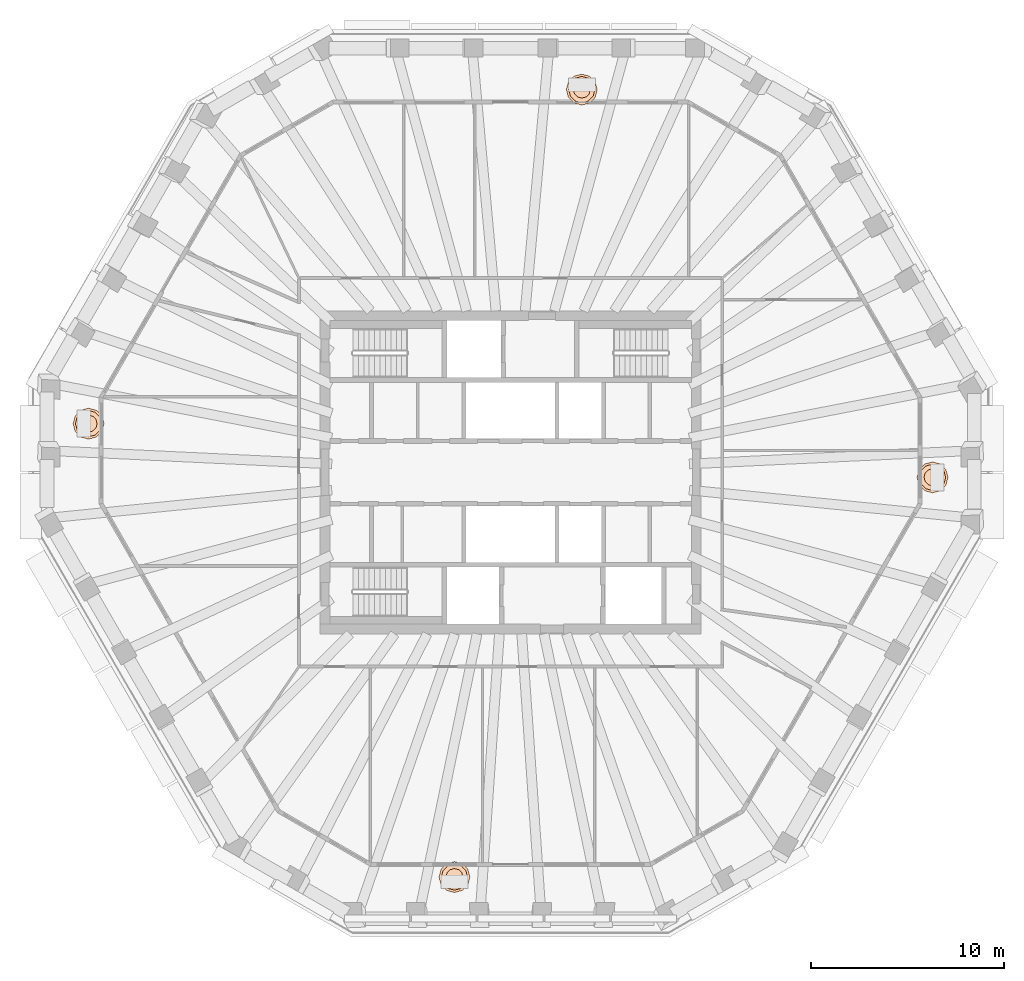
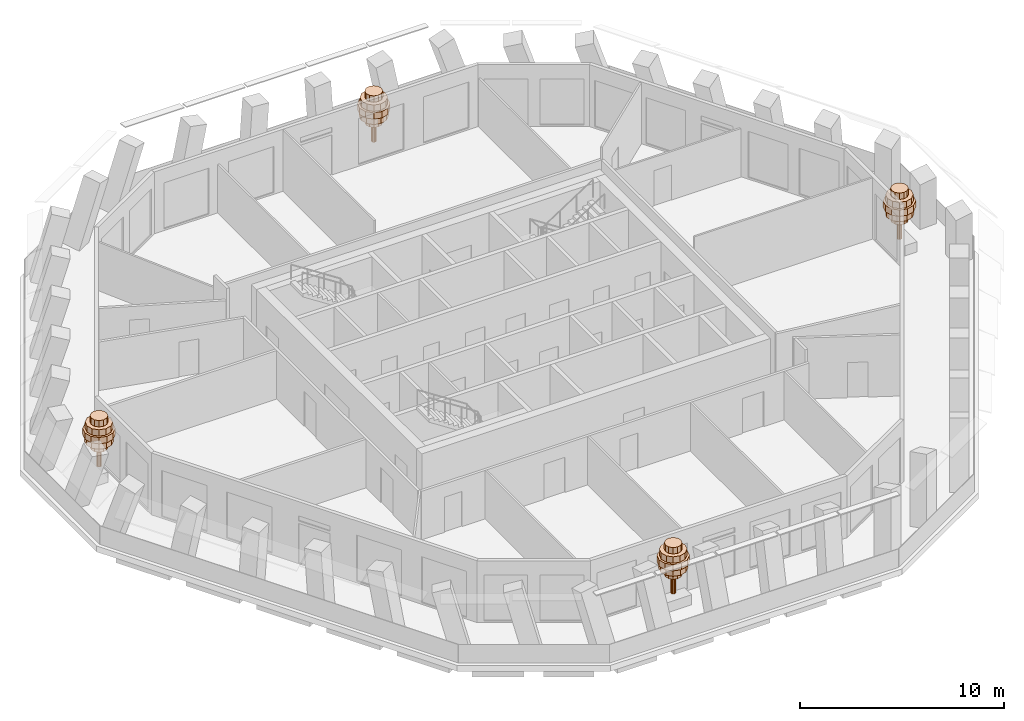
# One storey, part 11 of 11: 4 geographic elements.
"""IFC4 building model written with IfcOpenShell, lengths in metres."""

import ifcopenshell
import ifcopenshell.guid

model = None  # the IFC model being written
_history = None  # IfcOwnerHistory: only IFC2X3 demands one
_inside = {}  # id of a spatial element -> (the spatial element, [elements in it])
_under = {}  # id of a project, library or spatial element -> (it, [spatial elements below it])
_declared = {}  # id of a project -> (the project, [libraries it declares])
_typed = {}  # id of a type object -> (the type object, [elements of that type])
_made_of = {}  # id of a material, layer set ... -> (it, [elements and type objects made of it])


def new_model(schema):
    """Start an empty IFC model of exactly this schema.

    Asked for "IFC4X3", IfcOpenShell would pick the latest addendum, in which some entities
    have other attributes; the version numbers below select the first issue.
    IFC2X3 requires an IfcOwnerHistory on every rooted entity: one is made here for all.
    """
    global model, _history
    if schema == "IFC4X3":
        model = ifcopenshell.file(schema_version=(4, 3, 0, 0))
    else:
        model = ifcopenshell.file(schema=schema)
    _inside.clear()
    _under.clear()
    _declared.clear()
    _typed.clear()
    _made_of.clear()
    _history = None
    if model.schema == "IFC2X3":
        org = make("IfcOrganization", Name="unknown")
        user = make(
            "IfcPersonAndOrganization",
            ThePerson=make("IfcPerson", FamilyName="unknown"),
            TheOrganization=org,
        )
        app = make(
            "IfcApplication",
            ApplicationDeveloper=org,
            Version="unknown",
            ApplicationFullName="unknown",
            ApplicationIdentifier="unknown",
        )
        _history = make(
            "IfcOwnerHistory",
            OwningUser=user,
            OwningApplication=app,
            ChangeAction="ADDED",
            CreationDate=0,
        )
    return model


def make(cls, **values):
    """One entity of the class cls with the attributes given. An attribute that is None is left unset."""
    return model.create_entity(
        cls, **{name: value for name, value in values.items() if value is not None}
    )


def rooted(cls, **values):
    """An entity with a GlobalId (a new one), such as an element, a storey or a relation."""
    return make(cls, GlobalId=ifcopenshell.guid.new(), OwnerHistory=_history, **values)


def si_unit(unit_type, name, prefix=None):
    """IfcSIUnit, for example si_unit("LENGTHUNIT", "METRE", prefix="MILLI")."""
    return make("IfcSIUnit", UnitType=unit_type, Prefix=prefix, Name=name)


def assignment(units):
    """IfcUnitAssignment: the units of a project."""
    return None if units is None else make("IfcUnitAssignment", Units=units)


def point(xyz):
    """IfcCartesianPoint."""
    return None if xyz is None else make("IfcCartesianPoint", Coordinates=xyz)


def direction(xyz):
    """IfcDirection."""
    return None if xyz is None else make("IfcDirection", DirectionRatios=xyz)


def frame(location, z_axis=None, x_axis=None):
    """IfcAxis2Placement3D, a coordinate frame: its origin and axes. An axis left out is left unset."""
    return make(
        "IfcAxis2Placement3D",
        Location=point(location),
        Axis=direction(z_axis),
        RefDirection=direction(x_axis),
    )


def origin():
    """The frame at (0, 0, 0) with its axes left unset."""
    return frame((0.0, 0.0, 0.0))


def place(relative_to, where):
    """IfcLocalPlacement: puts the frame where relative to a parent placement (None: the world)."""
    return make(
        "IfcLocalPlacement", PlacementRelTo=relative_to, RelativePlacement=where
    )


def context(
    kind, dimensions, precision=None, world=None, true_north=None, identifier=None
):
    """IfcGeometricRepresentationContext, for example the 3D "Model" context."""
    return make(
        "IfcGeometricRepresentationContext",
        ContextIdentifier=identifier,
        ContextType=kind,
        CoordinateSpaceDimension=dimensions,
        Precision=precision,
        WorldCoordinateSystem=world,
        TrueNorth=true_north,
    )


def subcontext(parent, identifier, kind, view, scale=None):
    """IfcGeometricRepresentationSubContext, for example "Body" below "Model"."""
    return make(
        "IfcGeometricRepresentationSubContext",
        ContextIdentifier=identifier,
        ContextType=kind,
        ParentContext=parent,
        TargetScale=scale,
        TargetView=view,
    )


def project(units=None, contexts=None):
    """IfcProject with its units and contexts."""
    return rooted(
        "IfcProject",
        Name="project",
        RepresentationContexts=contexts,
        UnitsInContext=assignment(units),
    )


def spatial(cls, under=None, at=None, **own):
    """A site, building, storey or space (cls), placed at a placement, below another one or the project."""
    s = rooted(cls, ObjectPlacement=at, **own)
    if under is not None:
        _under.setdefault(under.id(), (under, []))[1].append(s)
    return s


def polyline(points):
    """IfcPolyline through the points."""
    return make("IfcPolyline", Points=[point(p) for p in points])


def outline(outer, holes=None, kind="AREA"):
    """IfcArbitraryClosedProfileDef: a profile drawn as a closed curve; with holes, ...WithVoids."""
    if holes is None:
        return make("IfcArbitraryClosedProfileDef", ProfileType=kind, OuterCurve=outer)
    return make(
        "IfcArbitraryProfileDefWithVoids",
        ProfileType=kind,
        OuterCurve=outer,
        InnerCurves=holes,
    )


def extrude(swept, where, along, depth):
    """IfcExtrudedAreaSolid: the profile swept, set in the frame where, extruded along a direction by depth."""
    return make(
        "IfcExtrudedAreaSolid",
        SweptArea=swept,
        Position=where,
        ExtrudedDirection=direction(along),
        Depth=depth,
    )


def shape(context_of_items, identifier, shape_type, items):
    """IfcShapeRepresentation: the items that make up one representation, for example the "Body"."""
    return make(
        "IfcShapeRepresentation",
        ContextOfItems=context_of_items,
        RepresentationIdentifier=identifier,
        RepresentationType=shape_type,
        Items=items,
    )


def material(Name=None, Category=None):
    """IfcMaterial."""
    return make("IfcMaterial", Name=Name, Category=Category)


def made_of(thing, what):
    """Note that an element or type object is made of a material, layer set ...; save() writes the relation."""
    if what is not None:
        _made_of.setdefault(what.id(), (what, []))[1].append(thing)
    return thing


def type_object(cls, material=None, **own):
    """A type object (cls), such as IfcWallType, which elements share."""
    return made_of(rooted(cls, **own), material)


def element(
    cls,
    number,
    at=None,
    inside=None,
    cuts=None,
    type_object=None,
    material=None,
    context=None,
    identifier="Body",
    shape_type=None,
    held_by="IfcProductDefinitionShape",
    body=None,
    shapes=None,
    **own,
):
    """One element of the class cls, such as IfcWall. Its Tag is "e" and its number.

    at: its placement. inside: the storey or other place that contains it. cuts: it is an
    opening in that element (IfcRelVoidsElement). A single representation is given by context,
    identifier, shape_type and body (its items); several are given by shapes. held_by: the class
    of the entity that holds the representations. save() writes the other relations.
    """
    e = rooted(cls, Tag="e%d" % number, ObjectPlacement=at, **own)
    if body is not None:
        shapes = [shape(context, identifier, shape_type, body)]
    if shapes is not None:
        e.Representation = make(held_by, Representations=shapes)
    if inside is not None:
        _inside.setdefault(inside.id(), (inside, []))[1].append(e)
    if cuts is not None:
        rooted(
            "IfcRelVoidsElement", RelatingBuildingElement=cuts, RelatedOpeningElement=e
        )
    if type_object is not None:
        _typed.setdefault(type_object.id(), (type_object, []))[1].append(e)
    return made_of(e, material)


def aggregate(whole, parts):
    """IfcRelAggregates: a whole, such as a stair, and the parts it consists of."""
    return rooted("IfcRelAggregates", RelatingObject=whole, RelatedObjects=parts)


def save(model, path):
    """Write the relations noted so far, then the file.

    IfcRelAggregates (storeys below a building ...), IfcRelContainedInSpatialStructure (elements
    in a storey), IfcRelDefinesByType, IfcRelAssociatesMaterial and IfcRelDeclares: one each for
    every whole, place, type object, material and project.
    """
    for whole, parts in _under.values():
        aggregate(whole, parts)
    for where, things in _inside.values():
        rooted(
            "IfcRelContainedInSpatialStructure",
            RelatedElements=things,
            RelatingStructure=where,
        )
    for kind, things in _typed.values():
        rooted("IfcRelDefinesByType", RelatedObjects=things, RelatingType=kind)
    for what, things in _made_of.values():
        rooted("IfcRelAssociatesMaterial", RelatedObjects=things, RelatingMaterial=what)
    for by, libraries in _declared.values():
        rooted("IfcRelDeclares", RelatingContext=by, RelatedDefinitions=libraries)
    model.write(path)


model = new_model("IFC4")

# Units and contexts
model_context = context("Model", 3, precision=1e-05, world=origin(), true_north=direction((0.0, 1.0)))
body_context = subcontext(model_context, "Body", "Model", "MODEL_VIEW")
ifc_project = project(units=[si_unit("LENGTHUNIT", "METRE"), si_unit("AREAUNIT", "SQUARE_METRE"), si_unit("VOLUMEUNIT", "CUBIC_METRE"), si_unit("PLANEANGLEUNIT", "RADIAN"), si_unit("MASSUNIT", "GRAM", prefix="KILO")], contexts=[model_context])

# Site, building, storey
site_placement = place(None, origin())
site = spatial("IfcSite", under=ifc_project, at=site_placement, CompositionType="ELEMENT")
building_placement = place(site_placement, origin())
building = spatial("IfcBuilding", under=site, at=building_placement, Name="Frailejon Research Tower", CompositionType="ELEMENT")
storey_placement = place(building_placement, frame((0.0, 0.0, 299.0)))
storey = spatial("IfcBuildingStorey", under=building, at=storey_placement, Name="L66", CompositionType="ELEMENT", Elevation=299.0)

# Geographic elements
ifc_material = material(Name="Foliage, green")
geographic_element_type = type_object("IfcGeographicElementType", Name="Frailejon tree, loggia", PredefinedType="USERDEFINED", material=ifc_material)
geographic_element_1_placement = place(storey_placement, frame((21.826904296875, -0.2578125, 0.60009765625)))
element("IfcGeographicElement", 1, at=geographic_element_1_placement, inside=storey, type_object=geographic_element_type, Name="Tree L66", ObjectType="TREE", PredefinedType="USERDEFINED", context=body_context, shape_type="SweptSolid", body=[
    extrude(outline(polyline([(0.1298828125, 0.0), (0.112548828125, 0.06494140625), (0.06494140625, 0.112548828125), (0.0, 0.1298828125), (-0.06494140625, 0.112548828125), (-0.112548828125, 0.06494140625), (-0.1298828125, 0.0), (-0.112548828125, -0.06494140625), (-0.06494140625, -0.112548828125), (0.0, -0.1298828125), (0.06494140625, -0.112548828125), (0.112548828125, -0.06494140625), (0.1298828125, 0.0)])), origin(), (0.0, 0.0, 1.0), 2.239990234375),
    extrude(outline(polyline([(0.43994140625, 0.0), (0.381103515625, 0.219970703125), (0.219970703125, 0.381103515625), (0.0, 0.43994140625), (-0.219970703125, 0.381103515625), (-0.381103515625, 0.219970703125), (-0.43994140625, 0.0), (-0.381103515625, -0.219970703125), (-0.219970703125, -0.381103515625), (0.0, -0.43994140625), (0.219970703125, -0.381103515625), (0.381103515625, -0.219970703125), (0.43994140625, 0.0)])), frame((0.0, 0.0, 1.10009765625)), (0.0, 0.0, 1.0), 0.3798828125),
    extrude(outline(polyline([(0.719970703125, 0.0), (0.62353515625, 0.360107421875), (0.360107421875, 0.62353515625), (0.0, 0.719970703125), (-0.360107421875, 0.62353515625), (-0.62353515625, 0.360107421875), (-0.719970703125, 0.0), (-0.62353515625, -0.360107421875), (-0.360107421875, -0.62353515625), (0.0, -0.719970703125), (0.360107421875, -0.62353515625), (0.62353515625, -0.360107421875), (0.719970703125, 0.0)])), frame((0.0, 0.0, 1.47998046875)), (0.0, 0.0, 1.0), 0.3798828125),
    extrude(outline(polyline([(0.800048828125, 0.0), (0.69287109375, 0.39990234375), (0.39990234375, 0.69287109375), (0.0, 0.800048828125), (-0.39990234375, 0.69287109375), (-0.69287109375, 0.39990234375), (-0.800048828125, 0.0), (-0.69287109375, -0.39990234375), (-0.39990234375, -0.69287109375), (0.0, -0.800048828125), (0.39990234375, -0.69287109375), (0.69287109375, -0.39990234375), (0.800048828125, 0.0)])), frame((0.0, 0.0, 1.860107421875)), (0.0, 0.0, 1.0), 0.3798828125),
    extrude(outline(polyline([(0.679931640625, 0.0), (0.5888671875, 0.340087890625), (0.340087890625, 0.5888671875), (0.0, 0.679931640625), (-0.340087890625, 0.5888671875), (-0.5888671875, 0.340087890625), (-0.679931640625, 0.0), (-0.5888671875, -0.340087890625), (-0.340087890625, -0.5888671875), (0.0, -0.679931640625), (0.340087890625, -0.5888671875), (0.5888671875, -0.340087890625), (0.679931640625, 0.0)])), frame((0.0, 0.0, 2.239990234375)), (0.0, 0.0, 1.0), 0.3798828125),
    extrude(outline(polyline([(0.43994140625, 0.0), (0.381103515625, 0.219970703125), (0.219970703125, 0.381103515625), (0.0, 0.43994140625), (-0.219970703125, 0.381103515625), (-0.381103515625, 0.219970703125), (-0.43994140625, 0.0), (-0.381103515625, -0.219970703125), (-0.219970703125, -0.381103515625), (0.0, -0.43994140625), (0.219970703125, -0.381103515625), (0.381103515625, -0.219970703125), (0.43994140625, 0.0)])), frame((0.0, 0.0, 2.6201171875)), (0.0, 0.0, 1.0), 0.3798828125),
])
geographic_element_2_placement = place(storey_placement, frame((3.684814453125, 19.800048828125, 0.60009765625)))
element("IfcGeographicElement", 2, at=geographic_element_2_placement, inside=storey, type_object=geographic_element_type, Name="Tree L66", ObjectType="TREE", PredefinedType="USERDEFINED", context=body_context, shape_type="SweptSolid", body=[
    extrude(outline(polyline([(0.1298828125, 0.0), (0.112548828125, 0.06494140625), (0.06494140625, 0.112548828125), (0.0, 0.1298828125), (-0.06494140625, 0.112548828125), (-0.112548828125, 0.06494140625), (-0.1298828125, 0.0), (-0.112548828125, -0.06494140625), (-0.06494140625, -0.112548828125), (0.0, -0.1298828125), (0.06494140625, -0.112548828125), (0.112548828125, -0.06494140625), (0.1298828125, 0.0)])), origin(), (0.0, 0.0, 1.0), 2.239990234375),
    extrude(outline(polyline([(0.43994140625, 0.0), (0.381103515625, 0.219970703125), (0.219970703125, 0.381103515625), (0.0, 0.43994140625), (-0.219970703125, 0.381103515625), (-0.381103515625, 0.219970703125), (-0.43994140625, 0.0), (-0.381103515625, -0.219970703125), (-0.219970703125, -0.381103515625), (0.0, -0.43994140625), (0.219970703125, -0.381103515625), (0.381103515625, -0.219970703125), (0.43994140625, 0.0)])), frame((0.0, 0.0, 1.10009765625)), (0.0, 0.0, 1.0), 0.3798828125),
    extrude(outline(polyline([(0.719970703125, 0.0), (0.62353515625, 0.360107421875), (0.360107421875, 0.62353515625), (0.0, 0.719970703125), (-0.360107421875, 0.62353515625), (-0.62353515625, 0.360107421875), (-0.719970703125, 0.0), (-0.62353515625, -0.360107421875), (-0.360107421875, -0.62353515625), (0.0, -0.719970703125), (0.360107421875, -0.62353515625), (0.62353515625, -0.360107421875), (0.719970703125, 0.0)])), frame((0.0, 0.0, 1.47998046875)), (0.0, 0.0, 1.0), 0.3798828125),
    extrude(outline(polyline([(0.800048828125, 0.0), (0.69287109375, 0.39990234375), (0.39990234375, 0.69287109375), (0.0, 0.800048828125), (-0.39990234375, 0.69287109375), (-0.69287109375, 0.39990234375), (-0.800048828125, 0.0), (-0.69287109375, -0.39990234375), (-0.39990234375, -0.69287109375), (0.0, -0.800048828125), (0.39990234375, -0.69287109375), (0.69287109375, -0.39990234375), (0.800048828125, 0.0)])), frame((0.0, 0.0, 1.860107421875)), (0.0, 0.0, 1.0), 0.3798828125),
    extrude(outline(polyline([(0.679931640625, 0.0), (0.5888671875, 0.340087890625), (0.340087890625, 0.5888671875), (0.0, 0.679931640625), (-0.340087890625, 0.5888671875), (-0.5888671875, 0.340087890625), (-0.679931640625, 0.0), (-0.5888671875, -0.340087890625), (-0.340087890625, -0.5888671875), (0.0, -0.679931640625), (0.340087890625, -0.5888671875), (0.5888671875, -0.340087890625), (0.679931640625, 0.0)])), frame((0.0, 0.0, 2.239990234375)), (0.0, 0.0, 1.0), 0.3798828125),
    extrude(outline(polyline([(0.43994140625, 0.0), (0.381103515625, 0.219970703125), (0.219970703125, 0.381103515625), (0.0, 0.43994140625), (-0.219970703125, 0.381103515625), (-0.381103515625, 0.219970703125), (-0.43994140625, 0.0), (-0.381103515625, -0.219970703125), (-0.219970703125, -0.381103515625), (0.0, -0.43994140625), (0.219970703125, -0.381103515625), (0.381103515625, -0.219970703125), (0.43994140625, 0.0)])), frame((0.0, 0.0, 2.6201171875)), (0.0, 0.0, 1.0), 0.3798828125),
])
geographic_element_3_placement = place(storey_placement, frame((-21.826904296875, 2.5205078125, 0.60009765625)))
element("IfcGeographicElement", 3, at=geographic_element_3_placement, inside=storey, type_object=geographic_element_type, Name="Tree L66", ObjectType="TREE", PredefinedType="USERDEFINED", context=body_context, shape_type="SweptSolid", body=[
    extrude(outline(polyline([(0.1298828125, 0.0), (0.112548828125, 0.06494140625), (0.06494140625, 0.112548828125), (0.0, 0.1298828125), (-0.06494140625, 0.112548828125), (-0.112548828125, 0.06494140625), (-0.1298828125, 0.0), (-0.112548828125, -0.06494140625), (-0.06494140625, -0.112548828125), (0.0, -0.1298828125), (0.06494140625, -0.112548828125), (0.112548828125, -0.06494140625), (0.1298828125, 0.0)])), origin(), (0.0, 0.0, 1.0), 2.239990234375),
    extrude(outline(polyline([(0.43994140625, 0.0), (0.381103515625, 0.219970703125), (0.219970703125, 0.381103515625), (0.0, 0.43994140625), (-0.219970703125, 0.381103515625), (-0.381103515625, 0.219970703125), (-0.43994140625, 0.0), (-0.381103515625, -0.219970703125), (-0.219970703125, -0.381103515625), (0.0, -0.43994140625), (0.219970703125, -0.381103515625), (0.381103515625, -0.219970703125), (0.43994140625, 0.0)])), frame((0.0, 0.0, 1.10009765625)), (0.0, 0.0, 1.0), 0.3798828125),
    extrude(outline(polyline([(0.719970703125, 0.0), (0.62353515625, 0.360107421875), (0.360107421875, 0.62353515625), (0.0, 0.719970703125), (-0.360107421875, 0.62353515625), (-0.62353515625, 0.360107421875), (-0.719970703125, 0.0), (-0.62353515625, -0.360107421875), (-0.360107421875, -0.62353515625), (0.0, -0.719970703125), (0.360107421875, -0.62353515625), (0.62353515625, -0.360107421875), (0.719970703125, 0.0)])), frame((0.0, 0.0, 1.47998046875)), (0.0, 0.0, 1.0), 0.3798828125),
    extrude(outline(polyline([(0.800048828125, 0.0), (0.69287109375, 0.39990234375), (0.39990234375, 0.69287109375), (0.0, 0.800048828125), (-0.39990234375, 0.69287109375), (-0.69287109375, 0.39990234375), (-0.800048828125, 0.0), (-0.69287109375, -0.39990234375), (-0.39990234375, -0.69287109375), (0.0, -0.800048828125), (0.39990234375, -0.69287109375), (0.69287109375, -0.39990234375), (0.800048828125, 0.0)])), frame((0.0, 0.0, 1.860107421875)), (0.0, 0.0, 1.0), 0.3798828125),
    extrude(outline(polyline([(0.679931640625, 0.0), (0.5888671875, 0.340087890625), (0.340087890625, 0.5888671875), (0.0, 0.679931640625), (-0.340087890625, 0.5888671875), (-0.5888671875, 0.340087890625), (-0.679931640625, 0.0), (-0.5888671875, -0.340087890625), (-0.340087890625, -0.5888671875), (0.0, -0.679931640625), (0.340087890625, -0.5888671875), (0.5888671875, -0.340087890625), (0.679931640625, 0.0)])), frame((0.0, 0.0, 2.239990234375)), (0.0, 0.0, 1.0), 0.3798828125),
    extrude(outline(polyline([(0.43994140625, 0.0), (0.381103515625, 0.219970703125), (0.219970703125, 0.381103515625), (0.0, 0.43994140625), (-0.219970703125, 0.381103515625), (-0.381103515625, 0.219970703125), (-0.43994140625, 0.0), (-0.381103515625, -0.219970703125), (-0.219970703125, -0.381103515625), (0.0, -0.43994140625), (0.219970703125, -0.381103515625), (0.381103515625, -0.219970703125), (0.43994140625, 0.0)])), frame((0.0, 0.0, 2.6201171875)), (0.0, 0.0, 1.0), 0.3798828125),
])
geographic_element_4_placement = place(storey_placement, frame((-2.90087890625, -20.931396484375, 0.60009765625)))
element("IfcGeographicElement", 4, at=geographic_element_4_placement, inside=storey, type_object=geographic_element_type, Name="Tree L66", ObjectType="TREE", PredefinedType="USERDEFINED", context=body_context, shape_type="SweptSolid", body=[
    extrude(outline(polyline([(0.1298828125, 0.0), (0.112548828125, 0.06494140625), (0.06494140625, 0.112548828125), (0.0, 0.1298828125), (-0.06494140625, 0.112548828125), (-0.112548828125, 0.06494140625), (-0.1298828125, 0.0), (-0.112548828125, -0.06494140625), (-0.06494140625, -0.112548828125), (0.0, -0.1298828125), (0.06494140625, -0.112548828125), (0.112548828125, -0.06494140625), (0.1298828125, 0.0)])), origin(), (0.0, 0.0, 1.0), 2.239990234375),
    extrude(outline(polyline([(0.43994140625, 0.0), (0.381103515625, 0.219970703125), (0.219970703125, 0.381103515625), (0.0, 0.43994140625), (-0.219970703125, 0.381103515625), (-0.381103515625, 0.219970703125), (-0.43994140625, 0.0), (-0.381103515625, -0.219970703125), (-0.219970703125, -0.381103515625), (0.0, -0.43994140625), (0.219970703125, -0.381103515625), (0.381103515625, -0.219970703125), (0.43994140625, 0.0)])), frame((0.0, 0.0, 1.10009765625)), (0.0, 0.0, 1.0), 0.3798828125),
    extrude(outline(polyline([(0.719970703125, 0.0), (0.62353515625, 0.360107421875), (0.360107421875, 0.62353515625), (0.0, 0.719970703125), (-0.360107421875, 0.62353515625), (-0.62353515625, 0.360107421875), (-0.719970703125, 0.0), (-0.62353515625, -0.360107421875), (-0.360107421875, -0.62353515625), (0.0, -0.719970703125), (0.360107421875, -0.62353515625), (0.62353515625, -0.360107421875), (0.719970703125, 0.0)])), frame((0.0, 0.0, 1.47998046875)), (0.0, 0.0, 1.0), 0.3798828125),
    extrude(outline(polyline([(0.800048828125, 0.0), (0.69287109375, 0.39990234375), (0.39990234375, 0.69287109375), (0.0, 0.800048828125), (-0.39990234375, 0.69287109375), (-0.69287109375, 0.39990234375), (-0.800048828125, 0.0), (-0.69287109375, -0.39990234375), (-0.39990234375, -0.69287109375), (0.0, -0.800048828125), (0.39990234375, -0.69287109375), (0.69287109375, -0.39990234375), (0.800048828125, 0.0)])), frame((0.0, 0.0, 1.860107421875)), (0.0, 0.0, 1.0), 0.3798828125),
    extrude(outline(polyline([(0.679931640625, 0.0), (0.5888671875, 0.340087890625), (0.340087890625, 0.5888671875), (0.0, 0.679931640625), (-0.340087890625, 0.5888671875), (-0.5888671875, 0.340087890625), (-0.679931640625, 0.0), (-0.5888671875, -0.340087890625), (-0.340087890625, -0.5888671875), (0.0, -0.679931640625), (0.340087890625, -0.5888671875), (0.5888671875, -0.340087890625), (0.679931640625, 0.0)])), frame((0.0, 0.0, 2.239990234375)), (0.0, 0.0, 1.0), 0.3798828125),
    extrude(outline(polyline([(0.43994140625, 0.0), (0.381103515625, 0.219970703125), (0.219970703125, 0.381103515625), (0.0, 0.43994140625), (-0.219970703125, 0.381103515625), (-0.381103515625, 0.219970703125), (-0.43994140625, 0.0), (-0.381103515625, -0.219970703125), (-0.219970703125, -0.381103515625), (0.0, -0.43994140625), (0.219970703125, -0.381103515625), (0.381103515625, -0.219970703125), (0.43994140625, 0.0)])), frame((0.0, 0.0, 2.6201171875)), (0.0, 0.0, 1.0), 0.3798828125),
])

save(model, "model.ifc")
